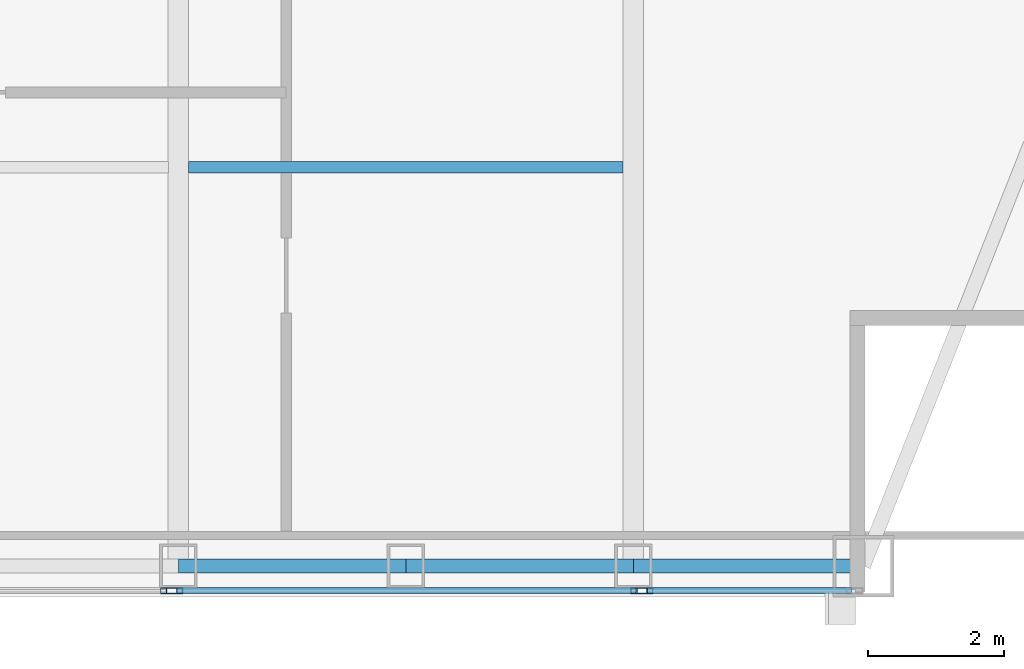
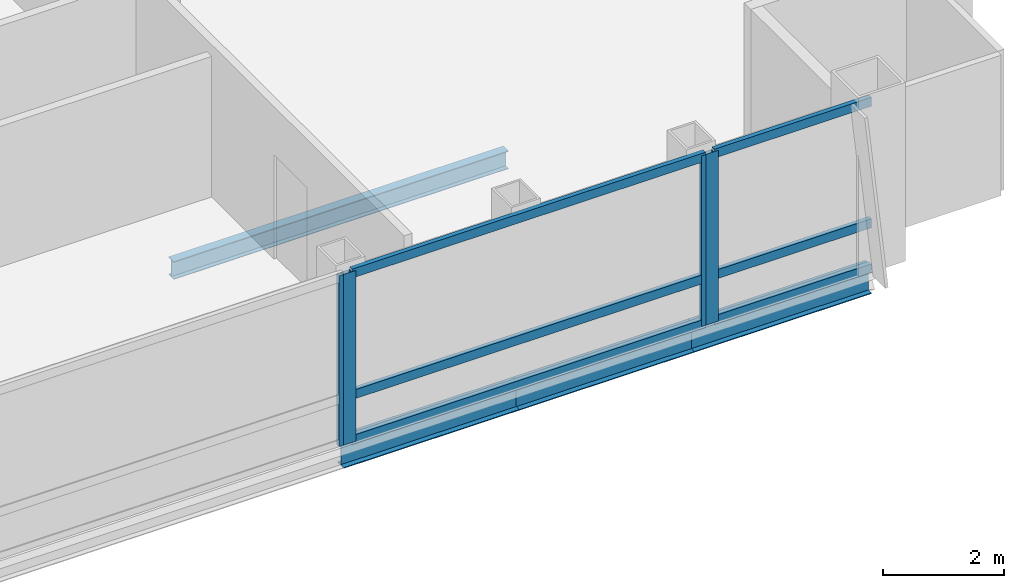
# One storey, part 14 of 29: 10 members, 4 beams, 3 elements without a shape of their own.
"""IFC4 building model written with IfcOpenShell, lengths in metres."""

from ifc_helpers import new_model, si_unit, direction, frame, origin, origin_2d, place, context, subcontext, project, spatial, hollow_rectangle, i_section, extrude, material, material_profile, profile_set, type_object, element, aggregate, save


model = new_model("IFC4")

# Units and contexts
model_context = context("Model", 3, precision=1e-05, world=origin(), true_north=direction((0.0, 1.0)))
body_context = subcontext(model_context, "Body", "Model", "MODEL_VIEW")
ifc_project = project(units=[si_unit("LENGTHUNIT", "METRE"), si_unit("AREAUNIT", "SQUARE_METRE"), si_unit("VOLUMEUNIT", "CUBIC_METRE"), si_unit("PLANEANGLEUNIT", "RADIAN"), si_unit("MASSUNIT", "GRAM", prefix="KILO")], contexts=[model_context])

# Site, building, storey
site_placement = place(None, origin())
site = spatial("IfcSite", under=ifc_project, at=site_placement, CompositionType="ELEMENT")
building_placement = place(site_placement, origin())
building = spatial("IfcBuilding", under=site, at=building_placement, Name="Khoronbel Lancet Exchange", CompositionType="ELEMENT")
storey_placement = place(building_placement, frame((0.0, 0.0, 318.199951171875)))
storey = spatial("IfcBuildingStorey", under=building, at=storey_placement, Name="L82", CompositionType="ELEMENT", Elevation=318.199951171875)

# Beams
ifc_material_1 = material(Name="Steel S355", Category="steel")
ifc_material_profile_1 = material_profile(ifc_material_1, i_section(OverallWidth=0.169921875, OverallDepth=0.360107421875, WebThickness=0.008056640625, FlangeThickness=0.0126953125, at=origin_2d()), Name="IPE 360")
ifc_profile_set_1 = profile_set([ifc_material_profile_1], Name="Steel S355")
beam_type_1 = type_object("IfcBeamType", Name="BM-BJ6", PredefinedType="JOIST", material=ifc_profile_set_1)
beam_1_placement = place(storey_placement, frame((48.14990234375, 16.0, -0.33984375), z_axis=(1.0, 0.0, 0.0), x_axis=(0.0, 1.0, 0.0)))
element("IfcBeam", 1, at=beam_1_placement, inside=storey, type_object=beam_type_1, Name="Level L82 secondary composite joist J03", PredefinedType="JOIST", context=body_context, shape_type="SweptSolid", body=[
    extrude(i_section(OverallWidth=0.169921875, OverallDepth=0.360107421875, WebThickness=0.008056640625, FlangeThickness=0.0126953125, at=origin_2d()), origin(), (0.0, 0.0, 1.0), 6.375),
])
ifc_material_profile_2 = material_profile(ifc_material_1, i_section(OverallWidth=0.2099609375, OverallDepth=0.550048828125, WebThickness=0.010986328125, FlangeThickness=0.01708984375, at=origin_2d()), Name="IPE 550")
ifc_profile_set_2 = profile_set([ifc_material_profile_2], Name="Steel S355")
beam_type_2 = type_object("IfcBeamType", Name="BM-BSP3", PredefinedType="SPANDREL", material=ifc_profile_set_2)
beam_2_placement = place(storey_placement, frame((48.0, 10.14990234375, -0.43505859375), z_axis=(1.0, 0.0, 0.0), x_axis=(0.0, 1.0, 0.0)))
element("IfcBeam", 2, at=beam_2_placement, inside=storey, type_object=beam_type_2, Name="Level L82 perimeter spandrel beam SP05", PredefinedType="SPANDREL", context=body_context, shape_type="SweptSolid", body=[
    extrude(i_section(OverallWidth=0.2099609375, OverallDepth=0.550048828125, WebThickness=0.010986328125, FlangeThickness=0.01708984375, at=origin_2d()), origin(), (0.0, 0.0, 1.0), 3.33740234375),
])
beam_3_placement = place(storey_placement, frame((51.33740234375, 10.14990234375, -0.43505859375), z_axis=(1.0, 0.0, 0.0), x_axis=(0.0, 1.0, 0.0)))
element("IfcBeam", 3, at=beam_3_placement, inside=storey, type_object=beam_type_2, Name="Level L82 perimeter spandrel beam SP06", PredefinedType="SPANDREL", context=body_context, shape_type="SweptSolid", body=[
    extrude(i_section(OverallWidth=0.2099609375, OverallDepth=0.550048828125, WebThickness=0.010986328125, FlangeThickness=0.01708984375, at=origin_2d()), origin(), (0.0, 0.0, 1.0), 3.337646484375),
])
beam_4_placement = place(storey_placement, frame((54.675048828125, 10.14990234375, -0.43505859375), z_axis=(1.0, 0.0, 0.0), x_axis=(0.0, 1.0, 0.0)))
element("IfcBeam", 4, at=beam_4_placement, inside=storey, type_object=beam_type_2, Name="Level L82 perimeter spandrel beam SP07", PredefinedType="SPANDREL", context=body_context, shape_type="SweptSolid", body=[
    extrude(i_section(OverallWidth=0.2099609375, OverallDepth=0.550048828125, WebThickness=0.010986328125, FlangeThickness=0.01708984375, at=origin_2d()), origin(), (0.0, 0.0, 1.0), 3.375),
])

# Curtain wall, member
ifc_material_2 = material(Name="Low-E Solar Control Insulating Glass", Category="glass")
curtain_wall_type = type_object("IfcCurtainWallType", Name="CW-3", PredefinedType="NOTDEFINED", material=ifc_material_2)
curtain_wall_1_placement = place(storey_placement, origin())
curtain_wall_1 = element("IfcCurtainWall", 5, at=curtain_wall_1_placement, inside=storey, type_object=curtain_wall_type, Name="Unitised curtain wall CW-L82-SCV", PredefinedType="NOTDEFINED")
ifc_material_3 = material(Name="Bronze-Anodised Aluminium 6063-T6", Category="aluminium")
ifc_material_profile_3 = material_profile(ifc_material_3, hollow_rectangle(XDim=0.0849609375, YDim=0.239990234375, WallThickness=0.006103515625, at=origin_2d()), Name="ALU MULLION 85x240")
ifc_profile_set_3 = profile_set([ifc_material_profile_3], Name="Bronze-Anodised Aluminium 6063-T6")
member_type_1 = type_object("IfcMemberType", Name="MEM-CWM1", PredefinedType="MULLION", material=ifc_profile_set_3)
member_1_placement = place(storey_placement, frame((47.857421875, 9.7900390625, 0.0), z_axis=(0.0, 0.0, 1.0), x_axis=(0.0, 1.0, 0.0)))
member_1 = element("IfcMember", 6, at=member_1_placement, type_object=member_type_1, Name="CW3 mullion 3", PredefinedType="MULLION", context=body_context, shape_type="SweptSolid", body=[
    extrude(hollow_rectangle(XDim=0.0849609375, YDim=0.239990234375, WallThickness=0.006103515625, at=origin_2d()), origin(), (0.0, 0.0, 1.0), 3.43994140625),
])
aggregate(curtain_wall_1, [member_1])

# Curtain wall, members
curtain_wall_2_placement = place(storey_placement, origin())
curtain_wall_2 = element("IfcCurtainWall", 7, at=curtain_wall_2_placement, inside=storey, type_object=curtain_wall_type, Name="Unitised curtain wall CW-L82-SEB", PredefinedType="NOTDEFINED")
member_2_placement = place(storey_placement, frame((47.9423828125, 9.7900390625, 0.0), z_axis=(0.0, 0.0, 1.0), x_axis=(0.0, 1.0, 0.0)))
member_2 = element("IfcMember", 8, at=member_2_placement, type_object=member_type_1, Name="CW3 mullion 1", PredefinedType="MULLION", context=body_context, shape_type="SweptSolid", body=[
    extrude(hollow_rectangle(XDim=0.0849609375, YDim=0.239990234375, WallThickness=0.006103515625, at=origin_2d()), origin(), (0.0, 0.0, 1.0), 3.43994140625),
])
member_3_placement = place(storey_placement, frame((54.757568359375, 9.7900390625, 0.0), z_axis=(0.0, 0.0, 1.0), x_axis=(0.0, 1.0, 0.0)))
member_3 = element("IfcMember", 9, at=member_3_placement, type_object=member_type_1, Name="CW3 mullion 2", PredefinedType="MULLION", context=body_context, shape_type="SweptSolid", body=[
    extrude(hollow_rectangle(XDim=0.0849609375, YDim=0.239990234375, WallThickness=0.006103515625, at=origin_2d()), origin(), (0.0, 0.0, 1.0), 3.43994140625),
])

# Curtain wall, member
curtain_wall_3_placement = place(storey_placement, origin())
curtain_wall_3 = element("IfcCurtainWall", 10, at=curtain_wall_3_placement, inside=storey, type_object=curtain_wall_type, Name="Unitised curtain wall CW-L82-SEV", PredefinedType="NOTDEFINED")
member_4_placement = place(storey_placement, frame((54.842529296875, 9.7900390625, 0.0), z_axis=(0.0, 0.0, 1.0), x_axis=(0.0, 1.0, 0.0)))
member_4 = element("IfcMember", 11, at=member_4_placement, type_object=member_type_1, Name="CW3 mullion 1", PredefinedType="MULLION", context=body_context, shape_type="SweptSolid", body=[
    extrude(hollow_rectangle(XDim=0.0849609375, YDim=0.239990234375, WallThickness=0.006103515625, at=origin_2d()), origin(), (0.0, 0.0, 1.0), 3.43994140625),
])

# Member
ifc_material_profile_4 = material_profile(ifc_material_3, hollow_rectangle(XDim=0.0849609375, YDim=0.179931640625, WallThickness=0.0048828125, at=origin_2d()), Name="ALU TRANSOM 85x180")
ifc_profile_set_4 = profile_set([ifc_material_profile_4], Name="Bronze-Anodised Aluminium 6063-T6")
member_type_2 = type_object("IfcMemberType", Name="MEM-CWT1", PredefinedType="USERDEFINED", material=ifc_profile_set_4)
member_5_placement = place(storey_placement, frame((47.985107421875, 9.7900390625, 0.04248046875), z_axis=(1.0, 0.0, 0.0), x_axis=(0.0, 1.0, 0.0)))
member_5 = element("IfcMember", 12, at=member_5_placement, type_object=member_type_2, Name="CW3 transom 1.1", ObjectType="TRANSOM", PredefinedType="USERDEFINED", context=body_context, shape_type="SweptSolid", body=[
    extrude(hollow_rectangle(XDim=0.0849609375, YDim=0.179931640625, WallThickness=0.0048828125, at=origin_2d()), origin(), (0.0, 0.0, 1.0), 6.72998046875),
])

member_6_placement = place(storey_placement, frame((47.985107421875, 9.7900390625, 0.949951171875), z_axis=(1.0, 0.0, 0.0), x_axis=(0.0, 1.0, 0.0)))
member_6 = element("IfcMember", 13, at=member_6_placement, type_object=member_type_2, Name="CW3 transom 1.2", ObjectType="TRANSOM", PredefinedType="USERDEFINED", context=body_context, shape_type="SweptSolid", body=[
    extrude(hollow_rectangle(XDim=0.0849609375, YDim=0.179931640625, WallThickness=0.0048828125, at=origin_2d()), origin(), (0.0, 0.0, 1.0), 6.72998046875),
])

member_7_placement = place(storey_placement, frame((47.985107421875, 9.7900390625, 3.3974609375), z_axis=(1.0, 0.0, 0.0), x_axis=(0.0, 1.0, 0.0)))
member_7 = element("IfcMember", 14, at=member_7_placement, type_object=member_type_2, Name="CW3 transom 1.3", ObjectType="TRANSOM", PredefinedType="USERDEFINED", context=body_context, shape_type="SweptSolid", body=[
    extrude(hollow_rectangle(XDim=0.0849609375, YDim=0.179931640625, WallThickness=0.0048828125, at=origin_2d()), origin(), (0.0, 0.0, 1.0), 6.72998046875),
])

aggregate(curtain_wall_2, [member_2, member_3, member_5, member_6, member_7])

member_8_placement = place(storey_placement, frame((54.885009765625, 9.7900390625, 0.04248046875), z_axis=(1.0, 0.0, 0.0), x_axis=(0.0, 1.0, 0.0)))
member_8 = element("IfcMember", 15, at=member_8_placement, type_object=member_type_2, Name="CW3 transom 1.1", ObjectType="TRANSOM", PredefinedType="USERDEFINED", context=body_context, shape_type="SweptSolid", body=[
    extrude(hollow_rectangle(XDim=0.0849609375, YDim=0.179931640625, WallThickness=0.0048828125, at=origin_2d()), origin(), (0.0, 0.0, 1.0), 2.989990234375),
])

member_9_placement = place(storey_placement, frame((54.885009765625, 9.7900390625, 0.949951171875), z_axis=(1.0, 0.0, 0.0), x_axis=(0.0, 1.0, 0.0)))
member_9 = element("IfcMember", 16, at=member_9_placement, type_object=member_type_2, Name="CW3 transom 1.2", ObjectType="TRANSOM", PredefinedType="USERDEFINED", context=body_context, shape_type="SweptSolid", body=[
    extrude(hollow_rectangle(XDim=0.0849609375, YDim=0.179931640625, WallThickness=0.0048828125, at=origin_2d()), origin(), (0.0, 0.0, 1.0), 2.989990234375),
])

member_10_placement = place(storey_placement, frame((54.885009765625, 9.7900390625, 3.3974609375), z_axis=(1.0, 0.0, 0.0), x_axis=(0.0, 1.0, 0.0)))
member_10 = element("IfcMember", 17, at=member_10_placement, type_object=member_type_2, Name="CW3 transom 1.3", ObjectType="TRANSOM", PredefinedType="USERDEFINED", context=body_context, shape_type="SweptSolid", body=[
    extrude(hollow_rectangle(XDim=0.0849609375, YDim=0.179931640625, WallThickness=0.0048828125, at=origin_2d()), origin(), (0.0, 0.0, 1.0), 2.989990234375),
])

aggregate(curtain_wall_3, [member_4, member_8, member_9, member_10])

save(model, "model.ifc")
